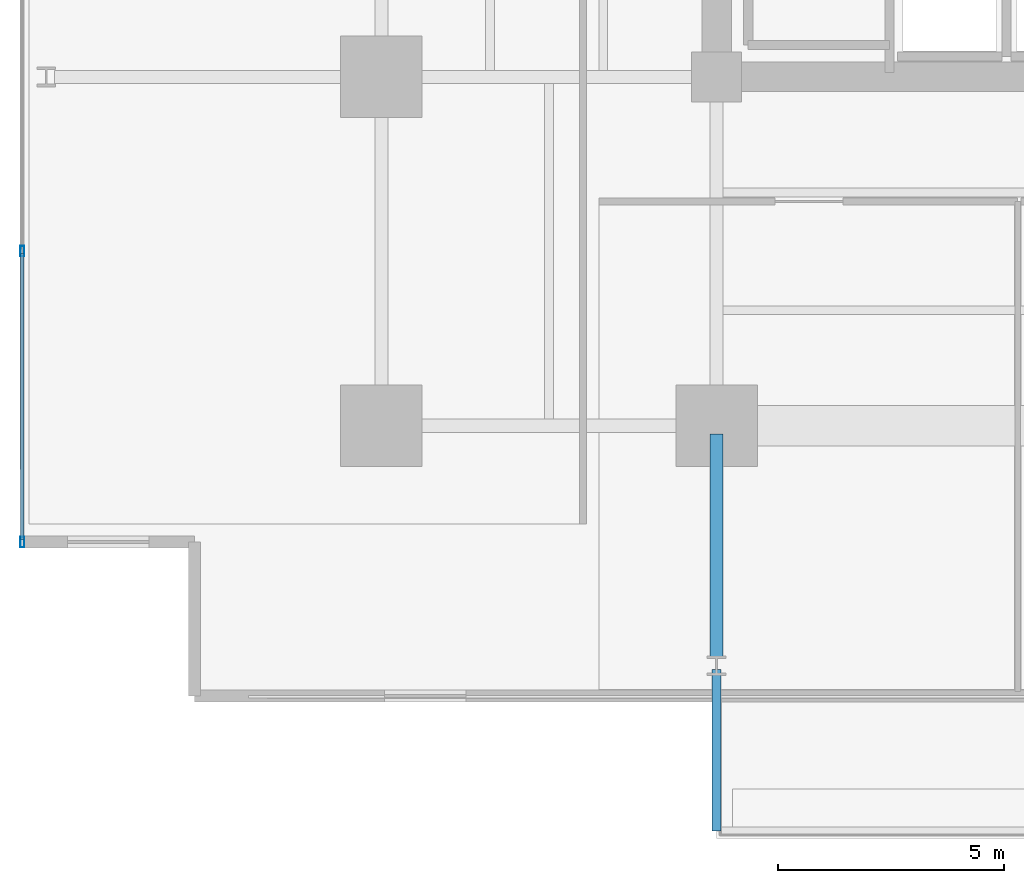
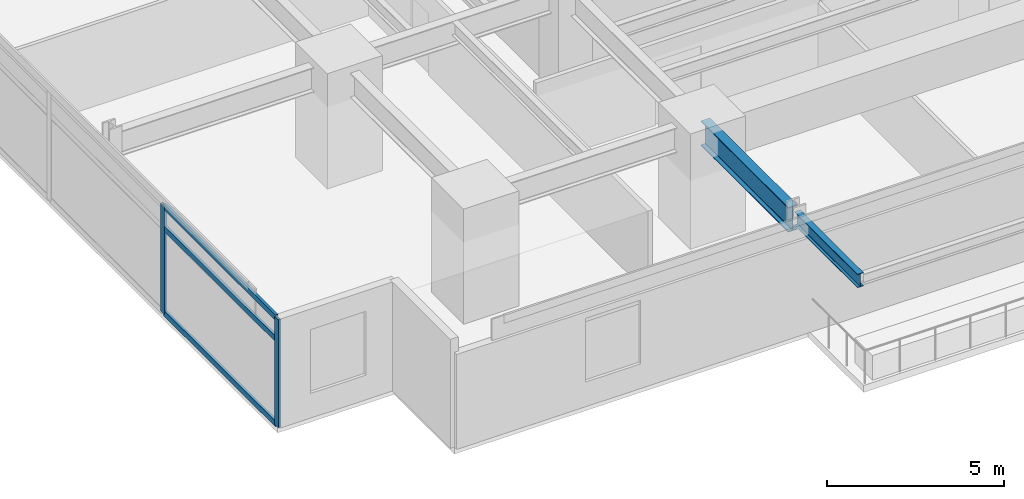
# One storey, part 2 of 21: 5 members, 2 beams, 1 element without a shape of its own.
"""IFC4 building model written with IfcOpenShell, lengths in metres."""

from ifc_helpers import new_model, si_unit, direction, frame, origin, origin_2d, place, context, subcontext, project, spatial, hollow_rectangle, i_section, extrude, material, material_profile, profile_set, type_object, element, aggregate, save


model = new_model("IFC4")

# Units and contexts
model_context = context("Model", 3, precision=1e-05, world=origin(), true_north=direction((0.0, 1.0)))
body_context = subcontext(model_context, "Body", "Model", "MODEL_VIEW")
ifc_project = project(units=[si_unit("LENGTHUNIT", "METRE"), si_unit("AREAUNIT", "SQUARE_METRE"), si_unit("VOLUMEUNIT", "CUBIC_METRE"), si_unit("PLANEANGLEUNIT", "RADIAN"), si_unit("MASSUNIT", "GRAM", prefix="KILO")], contexts=[model_context])

# Site, building, storey
site_placement = place(None, origin())
site = spatial("IfcSite", under=ifc_project, at=site_placement, CompositionType="ELEMENT")
building_placement = place(site_placement, origin())
building = spatial("IfcBuilding", under=site, at=building_placement, Name="Kovane Verandah Tower", CompositionType="ELEMENT")
storey_placement = place(building_placement, frame((0.0, 0.0, 87.60009765625)))
storey = spatial("IfcBuildingStorey", under=building, at=storey_placement, Name="L20", CompositionType="ELEMENT", Elevation=87.60009765625)

# Beam
ifc_material_1 = material(Name="Steel S355", Category="steel")
ifc_material_profile_1 = material_profile(ifc_material_1, i_section(OverallWidth=0.293701171875, OverallDepth=0.850830078125, WebThickness=0.01611328125, FlangeThickness=0.02685546875, FilletRadius=0.017822265625, at=origin_2d()), Name="UB838x292x226")
ifc_profile_set_1 = profile_set([ifc_material_profile_1], Name="Steel S355")
beam_type_1 = type_object("IfcBeamType", Name="BM-UB838x226", PredefinedType="BEAM", material=ifc_profile_set_1)
beam_1_placement = place(storey_placement, frame((29.0, 10.6201171875, 3.33447265625), z_axis=(0.0, -1.0, 0.0), x_axis=(1.0, 0.0, 0.0)))
element("IfcBeam", 1, at=beam_1_placement, inside=storey, type_object=beam_type_1, Name="L20 Primary Tower Girder G-VS1", PredefinedType="BEAM", context=body_context, shape_type="SweptSolid", body=[
    extrude(i_section(OverallWidth=0.293701171875, OverallDepth=0.850830078125, WebThickness=0.01611328125, FlangeThickness=0.02685546875, FilletRadius=0.017822265625, at=origin_2d()), origin(), (0.0, 0.0, 1.0), 4.940185546875),
])

# Curtain wall, members
ifc_material_2 = material(Name="Champagne Anodised Aluminium Frame with Low-E Clear Laminated Glass", Category="aluminium")
curtain_wall_type = type_object("IfcCurtainWallType", Name="CW-SYS-02-LOW", PredefinedType="NOTDEFINED", material=ifc_material_2)
curtain_wall_placement = place(storey_placement, origin())
curtain_wall = element("IfcCurtainWall", 2, at=curtain_wall_placement, inside=storey, type_object=curtain_wall_type, Name="L20 W Unitised Curtain Wall", PredefinedType="NOTDEFINED")
ifc_material_3 = material(Name="Champagne Anodised Aluminium 6063-T6", Category="aluminium")
ifc_material_profile_2 = material_profile(ifc_material_3, hollow_rectangle(XDim=0.0849609375, YDim=0.22998046875, WallThickness=0.00390625, at=origin_2d()), Name="AL85x230x4")
ifc_profile_set_2 = profile_set([ifc_material_profile_2], Name="Champagne Anodised Aluminium 6063-T6")
member_type_1 = type_object("IfcMemberType", Name="CW-MUL-85x230", PredefinedType="MULLION", material=ifc_profile_set_2)
member_1_placement = place(storey_placement, frame((13.670166015625, 14.652587890625, 0.02001953125), z_axis=(0.0, 0.0, 1.0), x_axis=(-1.0, 0.0, 0.0)))
member_1 = element("IfcMember", 3, at=member_1_placement, type_object=member_type_1, Name="L20 W Unitised Curtain Wall Mullion 6", PredefinedType="MULLION", context=body_context, shape_type="SweptSolid", body=[
    extrude(hollow_rectangle(XDim=0.0849609375, YDim=0.22998046875, WallThickness=0.00390625, at=origin_2d()), origin(), (0.0, 0.0, 1.0), 3.719970703125),
])
member_2_placement = place(storey_placement, frame((13.670166015625, 8.22900390625, 0.02001953125), z_axis=(0.0, 0.0, 1.0), x_axis=(-1.0, 0.0, 0.0)))
member_2 = element("IfcMember", 4, at=member_2_placement, type_object=member_type_1, Name="L20 W Unitised Curtain Wall Mullion 7", PredefinedType="MULLION", context=body_context, shape_type="SweptSolid", body=[
    extrude(hollow_rectangle(XDim=0.0849609375, YDim=0.22998046875, WallThickness=0.00390625, at=origin_2d()), origin(), (0.0, 0.0, 1.0), 3.719970703125),
])
ifc_material_profile_3 = material_profile(ifc_material_3, hollow_rectangle(XDim=0.0849609375, YDim=0.18994140625, WallThickness=0.00390625, at=origin_2d()), Name="AL85x190x4")
ifc_profile_set_3 = profile_set([ifc_material_profile_3], Name="Champagne Anodised Aluminium 6063-T6")
member_type_2 = type_object("IfcMemberType", Name="CW-TRN-85x190", PredefinedType="USERDEFINED", material=ifc_profile_set_3)
member_3_placement = place(storey_placement, frame((13.670166015625, 14.602783203125, 0.0498046875), z_axis=(0.0, -1.0, 0.0), x_axis=(1.0, 0.0, 0.0)))
member_3 = element("IfcMember", 5, at=member_3_placement, type_object=member_type_2, Name="L20 W Unitised Curtain Wall Transom TB Bay 6", ObjectType="TRANSOM", PredefinedType="USERDEFINED", context=body_context, shape_type="SweptSolid", body=[
    extrude(hollow_rectangle(XDim=0.0849609375, YDim=0.18994140625, WallThickness=0.00390625, at=origin_2d()), origin(), (0.0, 0.0, 1.0), 6.32373046875),
])
member_4_placement = place(storey_placement, frame((13.670166015625, 14.602783203125, 2.97998046875), z_axis=(0.0, -1.0, 0.0), x_axis=(1.0, 0.0, 0.0)))
member_4 = element("IfcMember", 6, at=member_4_placement, type_object=member_type_2, Name="L20 W Unitised Curtain Wall Transom TM Bay 6", ObjectType="TRANSOM", PredefinedType="USERDEFINED", context=body_context, shape_type="SweptSolid", body=[
    extrude(hollow_rectangle(XDim=0.0849609375, YDim=0.18994140625, WallThickness=0.00390625, at=origin_2d()), origin(), (0.0, 0.0, 1.0), 6.32373046875),
])
member_5_placement = place(storey_placement, frame((13.670166015625, 14.602783203125, 3.7099609375), z_axis=(0.0, -1.0, 0.0), x_axis=(1.0, 0.0, 0.0)))
member_5 = element("IfcMember", 7, at=member_5_placement, type_object=member_type_2, Name="L20 W Unitised Curtain Wall Transom TT Bay 6", ObjectType="TRANSOM", PredefinedType="USERDEFINED", context=body_context, shape_type="SweptSolid", body=[
    extrude(hollow_rectangle(XDim=0.0849609375, YDim=0.18994140625, WallThickness=0.00390625, at=origin_2d()), origin(), (0.0, 0.0, 1.0), 6.32373046875),
])
aggregate(curtain_wall, [member_1, member_2, member_3, member_4, member_5])

# Beam
ifc_material_profile_4 = material_profile(ifc_material_1, i_section(OverallWidth=0.19287109375, OverallDepth=0.46728515625, WebThickness=0.011474609375, FlangeThickness=0.01953125, FilletRadius=0.01025390625, at=origin_2d()), Name="UB457x191x98")
ifc_profile_set_4 = profile_set([ifc_material_profile_4], Name="Steel S355")
beam_type_2 = type_object("IfcBeamType", Name="JST-UB457x98", PredefinedType="JOIST", material=ifc_profile_set_4)
beam_2_placement = place(storey_placement, frame((29.0, 5.419921875, 3.5263671875), z_axis=(0.0, -1.0, 0.0), x_axis=(1.0, 0.0, 0.0)))
element("IfcBeam", 8, at=beam_2_placement, inside=storey, type_object=beam_type_2, Name="L20 South Planter Girder 1", PredefinedType="JOIST", context=body_context, shape_type="SweptSolid", body=[
    extrude(i_section(OverallWidth=0.19287109375, OverallDepth=0.46728515625, WebThickness=0.011474609375, FlangeThickness=0.01953125, FilletRadius=0.01025390625, at=origin_2d()), origin(), (0.0, 0.0, 1.0), 3.56494140625),
])

save(model, "model.ifc")
